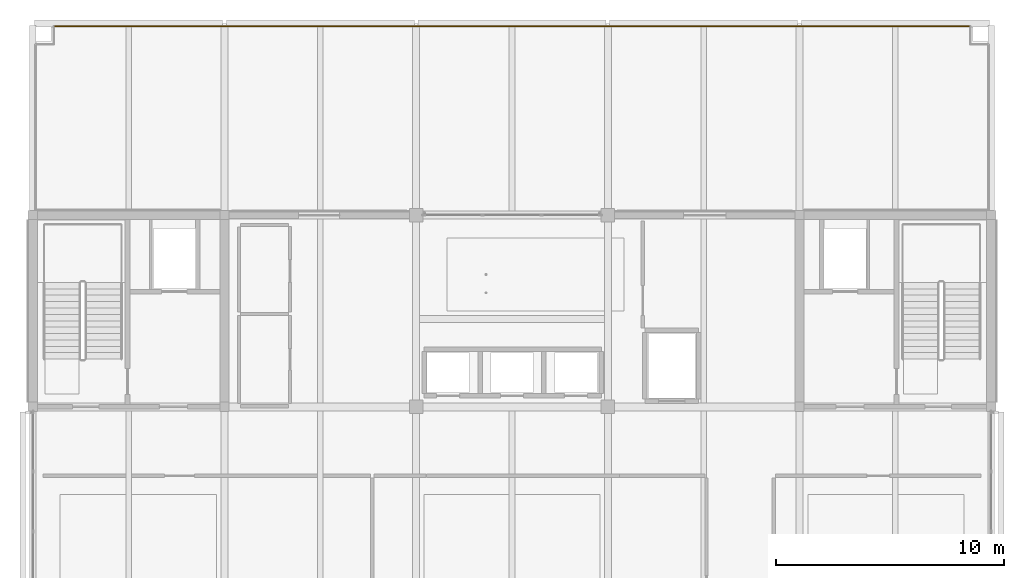
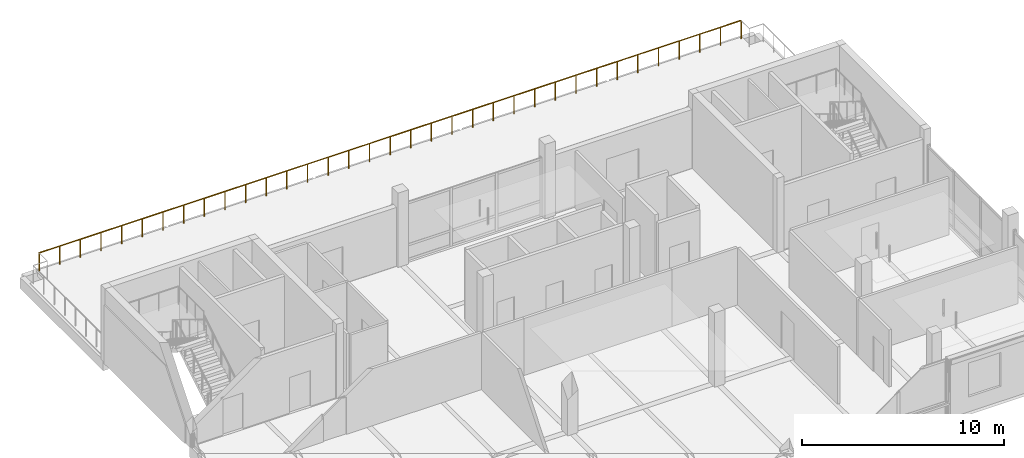
# One storey, part 25 of 25: 1 railing.
"""IFC4 building model written with IfcOpenShell, lengths in metres."""

from ifc_helpers import new_model, si_unit, direction, frame, origin, origin_2d, place, context, subcontext, project, spatial, circle, extrude, material, type_object, element, save


model = new_model("IFC4")

# Units and contexts
model_context = context("Model", 3, precision=1e-05, world=origin(), true_north=direction((0.0, 1.0)))
body_context = subcontext(model_context, "Body", "Model", "MODEL_VIEW")
ifc_project = project(units=[si_unit("LENGTHUNIT", "METRE"), si_unit("AREAUNIT", "SQUARE_METRE"), si_unit("VOLUMEUNIT", "CUBIC_METRE"), si_unit("PLANEANGLEUNIT", "RADIAN"), si_unit("MASSUNIT", "GRAM", prefix="KILO")], contexts=[model_context])

# Site, building, storey
site_placement = place(None, origin())
site = spatial("IfcSite", under=ifc_project, at=site_placement, CompositionType="ELEMENT")
building_placement = place(site_placement, origin())
building = spatial("IfcBuilding", under=site, at=building_placement, Name="Telukmera Botanical Conservatory", CompositionType="ELEMENT")
storey_placement = place(building_placement, frame((0.0, 0.0, 64.5)))
storey = spatial("IfcBuildingStorey", under=building, at=storey_placement, Name="L14", CompositionType="ELEMENT", Elevation=64.5)

# Railing
ifc_material = material(Name="Brushed stainless steel grade 316", Category="steel")
railing_type = type_object("IfcRailingType", Name="Exterior Terrace Safety Guardrail 1100", PredefinedType="GUARDRAIL", material=ifc_material)
railing_placement = place(storey_placement, frame((59.719970703125, 42.679931640625, 0.0400390625)))
element("IfcRailing", 1, at=railing_placement, inside=storey, type_object=railing_type, Name="Tower Sky Terrace Guardrail L14 N", PredefinedType="GUARDRAIL", context=body_context, shape_type="SweptSolid", body=[
    extrude(circle(Radius=0.02392578125, at=origin_2d()), frame((0.0, 0.0, 1.09619140625), z_axis=(1.0, 0.0, 0.0), x_axis=(0.0, 1.0, 0.0)), (0.0, 0.0, 1.0), 40.159912109375),
    extrude(circle(Radius=0.02099609375, at=origin_2d()), origin(), (0.0, 0.0, 1.0), 1.072021484375),
    extrude(circle(Radius=0.02099609375, at=origin_2d()), frame((1.18115234375, 0.0, 0.0)), (0.0, 0.0, 1.0), 1.072021484375),
    extrude(circle(Radius=0.02099609375, at=origin_2d()), frame((2.3623046875, 0.0, 0.0)), (0.0, 0.0, 1.0), 1.072021484375),
    extrude(circle(Radius=0.02099609375, at=origin_2d()), frame((3.54345703125, 0.0, 0.0)), (0.0, 0.0, 1.0), 1.072021484375),
    extrude(circle(Radius=0.02099609375, at=origin_2d()), frame((4.724609375, 0.0, 0.0)), (0.0, 0.0, 1.0), 1.072021484375),
    extrude(circle(Radius=0.02099609375, at=origin_2d()), frame((5.90576171875, 0.0, 0.0)), (0.0, 0.0, 1.0), 1.072021484375),
    extrude(circle(Radius=0.02099609375, at=origin_2d()), frame((7.087158203125, 0.0, 0.0)), (0.0, 0.0, 1.0), 1.072021484375),
    extrude(circle(Radius=0.02099609375, at=origin_2d()), frame((8.268310546875, 0.0, 0.0)), (0.0, 0.0, 1.0), 1.072021484375),
    extrude(circle(Radius=0.02099609375, at=origin_2d()), frame((9.449462890625, 0.0, 0.0)), (0.0, 0.0, 1.0), 1.072021484375),
    extrude(circle(Radius=0.02099609375, at=origin_2d()), frame((10.630615234375, 0.0, 0.0)), (0.0, 0.0, 1.0), 1.072021484375),
    extrude(circle(Radius=0.02099609375, at=origin_2d()), frame((11.811767578125, 0.0, 0.0)), (0.0, 0.0, 1.0), 1.072021484375),
    extrude(circle(Radius=0.02099609375, at=origin_2d()), frame((12.992919921875, 0.0, 0.0)), (0.0, 0.0, 1.0), 1.072021484375),
    extrude(circle(Radius=0.02099609375, at=origin_2d()), frame((14.174072265625, 0.0, 0.0)), (0.0, 0.0, 1.0), 1.072021484375),
    extrude(circle(Radius=0.02099609375, at=origin_2d()), frame((15.355224609375, 0.0, 0.0)), (0.0, 0.0, 1.0), 1.072021484375),
    extrude(circle(Radius=0.02099609375, at=origin_2d()), frame((16.536376953125, 0.0, 0.0)), (0.0, 0.0, 1.0), 1.072021484375),
    extrude(circle(Radius=0.02099609375, at=origin_2d()), frame((17.717529296875, 0.0, 0.0)), (0.0, 0.0, 1.0), 1.072021484375),
    extrude(circle(Radius=0.02099609375, at=origin_2d()), frame((18.898681640625, 0.0, 0.0)), (0.0, 0.0, 1.0), 1.072021484375),
    extrude(circle(Radius=0.02099609375, at=origin_2d()), frame((20.080078125, 0.0, 0.0)), (0.0, 0.0, 1.0), 1.072021484375),
    extrude(circle(Radius=0.02099609375, at=origin_2d()), frame((21.26123046875, 0.0, 0.0)), (0.0, 0.0, 1.0), 1.072021484375),
    extrude(circle(Radius=0.02099609375, at=origin_2d()), frame((22.4423828125, 0.0, 0.0)), (0.0, 0.0, 1.0), 1.072021484375),
    extrude(circle(Radius=0.02099609375, at=origin_2d()), frame((23.62353515625, 0.0, 0.0)), (0.0, 0.0, 1.0), 1.072021484375),
    extrude(circle(Radius=0.02099609375, at=origin_2d()), frame((24.8046875, 0.0, 0.0)), (0.0, 0.0, 1.0), 1.072021484375),
    extrude(circle(Radius=0.02099609375, at=origin_2d()), frame((25.98583984375, 0.0, 0.0)), (0.0, 0.0, 1.0), 1.072021484375),
    extrude(circle(Radius=0.02099609375, at=origin_2d()), frame((27.1669921875, 0.0, 0.0)), (0.0, 0.0, 1.0), 1.072021484375),
    extrude(circle(Radius=0.02099609375, at=origin_2d()), frame((28.34814453125, 0.0, 0.0)), (0.0, 0.0, 1.0), 1.072021484375),
    extrude(circle(Radius=0.02099609375, at=origin_2d()), frame((29.529296875, 0.0, 0.0)), (0.0, 0.0, 1.0), 1.072021484375),
    extrude(circle(Radius=0.02099609375, at=origin_2d()), frame((30.71044921875, 0.0, 0.0)), (0.0, 0.0, 1.0), 1.072021484375),
    extrude(circle(Radius=0.02099609375, at=origin_2d()), frame((31.8916015625, 0.0, 0.0)), (0.0, 0.0, 1.0), 1.072021484375),
    extrude(circle(Radius=0.02099609375, at=origin_2d()), frame((33.07275390625, 0.0, 0.0)), (0.0, 0.0, 1.0), 1.072021484375),
    extrude(circle(Radius=0.02099609375, at=origin_2d()), frame((34.254150390625, 0.0, 0.0)), (0.0, 0.0, 1.0), 1.072021484375),
    extrude(circle(Radius=0.02099609375, at=origin_2d()), frame((35.435302734375, 0.0, 0.0)), (0.0, 0.0, 1.0), 1.072021484375),
    extrude(circle(Radius=0.02099609375, at=origin_2d()), frame((36.616455078125, 0.0, 0.0)), (0.0, 0.0, 1.0), 1.072021484375),
    extrude(circle(Radius=0.02099609375, at=origin_2d()), frame((37.797607421875, 0.0, 0.0)), (0.0, 0.0, 1.0), 1.072021484375),
    extrude(circle(Radius=0.02099609375, at=origin_2d()), frame((38.978759765625, 0.0, 0.0)), (0.0, 0.0, 1.0), 1.072021484375),
    extrude(circle(Radius=0.02099609375, at=origin_2d()), frame((40.159912109375, 0.0, 0.0)), (0.0, 0.0, 1.0), 1.072021484375),
])

save(model, "model.ifc")
